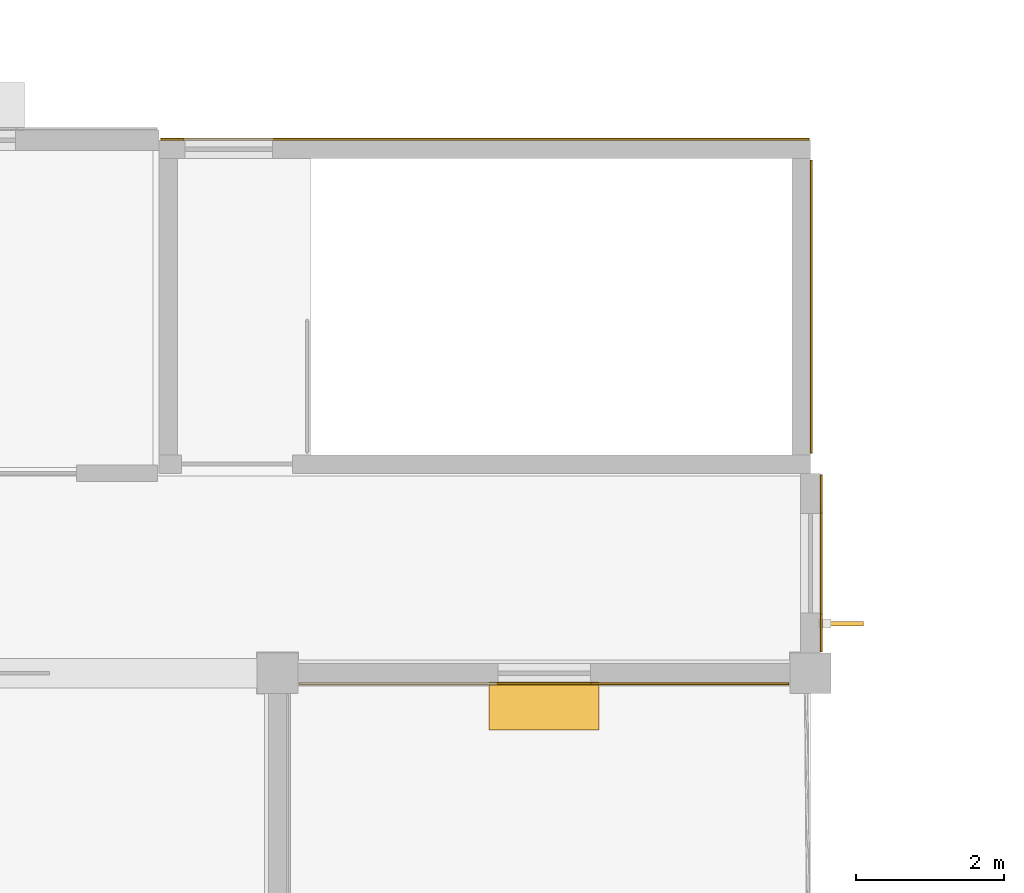
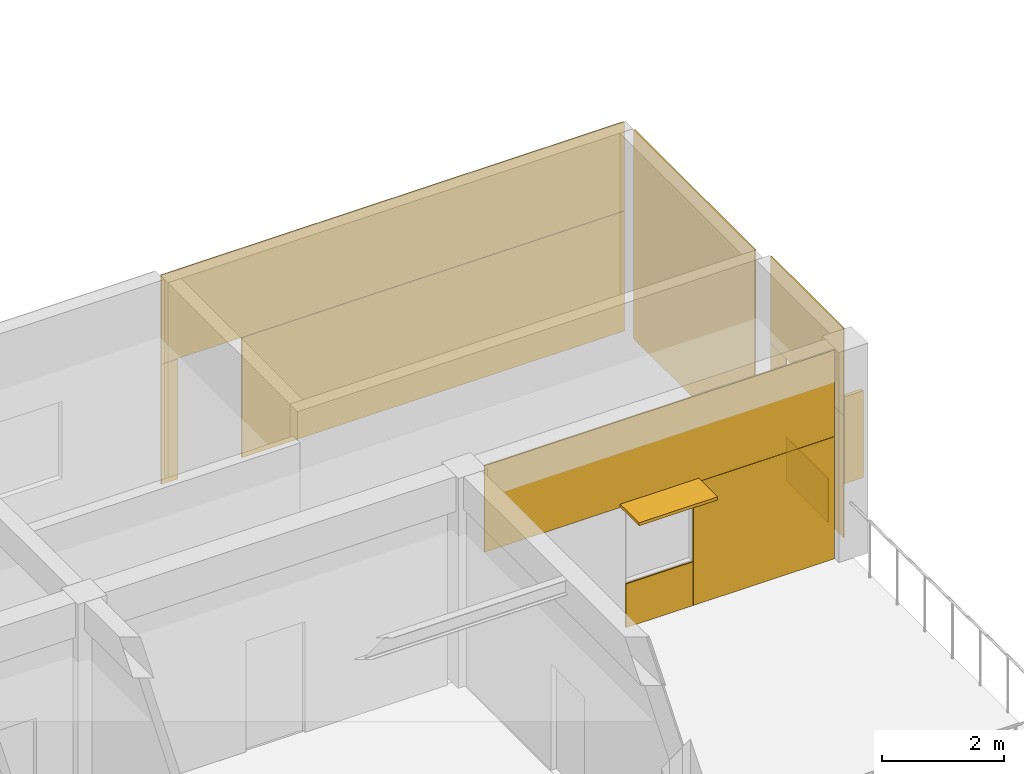
# One storey, part 23 of 29: 11 coverings, 2 shading devices.
"""IFC4 building model written with IfcOpenShell, lengths in metres."""

from ifc_helpers import new_model, si_unit, direction, frame, origin, origin_2d, place, context, subcontext, project, spatial, rectangle, extrude, material, layer, layer_set, type_object, element, save


model = new_model("IFC4")

# Units and contexts
model_context = context("Model", 3, precision=1e-05, world=origin(), true_north=direction((0.0, 1.0)))
body_context = subcontext(model_context, "Body", "Model", "MODEL_VIEW")
ifc_project = project(units=[si_unit("LENGTHUNIT", "METRE"), si_unit("AREAUNIT", "SQUARE_METRE"), si_unit("VOLUMEUNIT", "CUBIC_METRE"), si_unit("PLANEANGLEUNIT", "RADIAN"), si_unit("MASSUNIT", "GRAM", prefix="KILO")], contexts=[model_context])

# Site, building, storey
site_placement = place(None, origin())
site = spatial("IfcSite", under=ifc_project, at=site_placement, CompositionType="ELEMENT")
building_placement = place(site_placement, origin())
building = spatial("IfcBuilding", under=site, at=building_placement, Name="Namkhue Oval Health Centre", CompositionType="ELEMENT")
storey_placement = place(building_placement, frame((0.0, 0.0, 18.0)))
storey = spatial("IfcBuildingStorey", under=building, at=storey_placement, Name="L04", CompositionType="ELEMENT", Elevation=18.0)

# Shading devices
ifc_material_1 = material(Name="Anodised aluminium EN AW-6063 T6", Category="aluminium")
ifc_layer_1 = layer(ifc_material_1, 0.050048828125)
ifc_layer_set_1 = layer_set([ifc_layer_1], Name="Anodised aluminium EN AW-6063 T6")
shading_device_type_1 = type_object("IfcShadingDeviceType", Name="STORM SHUTTER LOUVRE 650", PredefinedType="SHUTTER", material=ifc_layer_set_1)
shading_device_1_placement = place(storey_placement, frame((118.800048828125, 21.155029296875, 2.4599609375), z_axis=(0.0, 0.0, 1.0), x_axis=(1.0, 0.0, 0.0)))
element("IfcShadingDevice", 1, at=shading_device_1_placement, inside=storey, type_object=shading_device_type_1, Name="Volume V5 L04 Window Monsoon Louvre 289", PredefinedType="SHUTTER", context=body_context, shape_type="SweptSolid", body=[
    extrude(rectangle(XDim=1.489990234375, YDim=0.64990234375, at=origin_2d()), origin(), (0.0, 0.0, 1.0), 0.06005859375),
])
shading_device_type_2 = type_object("IfcShadingDeviceType", Name="VERTICAL SOLAR FIN 600", PredefinedType="USERDEFINED", material=ifc_material_1)
shading_device_2_placement = place(storey_placement, frame((122.81494140625, 22.26953125, 0.7998046875), z_axis=(0.0, 0.0, 1.0), x_axis=(1.0, 0.0, 0.0)))
element("IfcShadingDevice", 2, at=shading_device_2_placement, inside=storey, type_object=shading_device_type_2, Name="Volume V5 L04 Window Solar Fin 290", ObjectType="SOLAR FIN", PredefinedType="USERDEFINED", context=body_context, shape_type="SweptSolid", body=[
    extrude(rectangle(XDim=0.60009765625, YDim=0.06005859375, at=origin_2d()), origin(), (0.0, 0.0, 1.0), 1.739990234375),
])

# Coverings
ifc_material_2 = material(Name="White glass-fibre reinforced concrete GRC rainscreen cladding", Category="concrete")
ifc_layer_2 = layer(ifc_material_2, 0.02490234375)
ifc_layer_set_2 = layer_set([ifc_layer_2], Name="White glass-fibre reinforced concrete GRC rainscreen cladding")
covering_type = type_object("IfcCoveringType", Name="WHITE GRC RAINSCREEN CLADDING 25", PredefinedType="CLADDING", material=ifc_layer_set_2)
covering_1_placement = place(storey_placement, frame((118.800048828125, 21.4580078125, 2.455078125), z_axis=(0.0, 0.0, 1.0), x_axis=(1.0, 0.0, 0.0)))
element("IfcCovering", 3, at=covering_1_placement, inside=storey, type_object=covering_type, Name="Volume V5 L04 Facade 153 White GRC Cladding 1", PredefinedType="CLADDING", context=body_context, shape_type="SweptSolid", body=[
    extrude(rectangle(XDim=6.617919921875, YDim=0.02490234375, at=origin_2d()), origin(), (0.0, 0.0, 1.0), 1.735107421875),
])
covering_2_placement = place(storey_placement, frame((118.800048828125, 21.4580078125, 0.010009765625), z_axis=(0.0, 0.0, 1.0), x_axis=(1.0, 0.0, 0.0)))
element("IfcCovering", 4, at=covering_2_placement, inside=storey, type_object=covering_type, Name="Volume V5 L04 Facade 153 White GRC Cladding 3", PredefinedType="CLADDING", context=body_context, shape_type="SweptSolid", body=[
    extrude(rectangle(XDim=1.27001953125, YDim=0.02490234375, at=origin_2d()), origin(), (0.0, 0.0, 1.0), 0.875),
])
covering_3_placement = place(storey_placement, frame((120.7744140625, 21.4580078125, 0.010009765625), z_axis=(0.0, 0.0, 1.0), x_axis=(1.0, 0.0, 0.0)))
element("IfcCovering", 5, at=covering_3_placement, inside=storey, type_object=covering_type, Name="Volume V5 L04 Facade 153 White GRC Cladding 4", PredefinedType="CLADDING", context=body_context, shape_type="SweptSolid", body=[
    extrude(rectangle(XDim=2.6689453125, YDim=0.02490234375, at=origin_2d()), origin(), (0.0, 0.0, 1.0), 2.43994140625),
])
covering_4_placement = place(storey_placement, frame((122.547119140625, 23.08447265625, 2.455078125), z_axis=(0.0, 0.0, 1.0), x_axis=(0.0, 1.0, 0.0)))
element("IfcCovering", 6, at=covering_4_placement, inside=storey, type_object=covering_type, Name="Volume V5 L04 Facade 154 White GRC Cladding 1", PredefinedType="CLADDING", context=body_context, shape_type="SweptSolid", body=[
    extrude(rectangle(XDim=2.386962890625, YDim=0.02490234375, at=origin_2d()), origin(), (0.0, 0.0, 1.0), 1.735107421875),
])
covering_5_placement = place(storey_placement, frame((122.547119140625, 22.142578125, 0.010009765625), z_axis=(0.0, 0.0, 1.0), x_axis=(0.0, 1.0, 0.0)))
element("IfcCovering", 7, at=covering_5_placement, inside=storey, type_object=covering_type, Name="Volume V5 L04 Facade 154 White GRC Cladding 2", PredefinedType="CLADDING", context=body_context, shape_type="SweptSolid", body=[
    extrude(rectangle(XDim=0.50341796875, YDim=0.02490234375, at=origin_2d()), origin(), (0.0, 0.0, 1.0), 2.43994140625),
])
covering_6_placement = place(storey_placement, frame((122.547119140625, 23.08447265625, 0.010009765625), z_axis=(0.0, 0.0, 1.0), x_axis=(0.0, 1.0, 0.0)))
element("IfcCovering", 8, at=covering_6_placement, inside=storey, type_object=covering_type, Name="Volume V5 L04 Facade 154 White GRC Cladding 3", PredefinedType="CLADDING", context=body_context, shape_type="SweptSolid", body=[
    extrude(rectangle(XDim=1.3701171875, YDim=0.02490234375, at=origin_2d()), origin(), (0.0, 0.0, 1.0), 0.875),
])
covering_7_placement = place(storey_placement, frame((122.547119140625, 24.026123046875, 0.010009765625), z_axis=(0.0, 0.0, 1.0), x_axis=(0.0, 1.0, 0.0)))
element("IfcCovering", 9, at=covering_7_placement, inside=storey, type_object=covering_type, Name="Volume V5 L04 Facade 154 White GRC Cladding 4", PredefinedType="CLADDING", context=body_context, shape_type="SweptSolid", body=[
    extrude(rectangle(XDim=0.50341796875, YDim=0.02490234375, at=origin_2d()), origin(), (0.0, 0.0, 1.0), 2.43994140625),
])
covering_8_placement = place(storey_placement, frame((122.412109375, 26.550048828125, 0.01025390625), z_axis=(0.0, 0.0, 1.0), x_axis=(0.0, 1.0, 0.0)))
element("IfcCovering", 10, at=covering_8_placement, inside=storey, type_object=covering_type, Name="Core SC-10 L04 Core E White GRC Cladding 1", PredefinedType="CLADDING", context=body_context, shape_type="SweptSolid", body=[
    extrude(rectangle(XDim=3.9599609375, YDim=0.02490234375, at=origin_2d()), origin(), (0.0, 0.0, 1.0), 4.179931640625),
])
covering_9_placement = place(storey_placement, frame((118.0, 28.81201171875, 2.4150390625), z_axis=(0.0, 0.0, 1.0), x_axis=(-1.0, 0.0, 0.0)))
element("IfcCovering", 11, at=covering_9_placement, inside=storey, type_object=covering_type, Name="Core SC-10 L04 Core N White GRC Cladding 1", PredefinedType="CLADDING", context=body_context, shape_type="SweptSolid", body=[
    extrude(rectangle(XDim=8.760009765625, YDim=0.02490234375, at=origin_2d()), origin(), (0.0, 0.0, 1.0), 1.77490234375),
])
covering_10_placement = place(storey_placement, frame((118.762451171875, 28.81201171875, 0.010009765625), z_axis=(0.0, 0.0, 1.0), x_axis=(-1.0, 0.0, 0.0)))
element("IfcCovering", 12, at=covering_10_placement, inside=storey, type_object=covering_type, Name="Core SC-10 L04 Core N White GRC Cladding 2", PredefinedType="CLADDING", context=body_context, shape_type="SweptSolid", body=[
    extrude(rectangle(XDim=7.235107421875, YDim=0.02490234375, at=origin_2d()), origin(), (0.0, 0.0, 1.0), 2.39990234375),
])
covering_11_placement = place(storey_placement, frame((113.777587890625, 28.81201171875, 0.010009765625), z_axis=(0.0, 0.0, 1.0), x_axis=(-1.0, 0.0, 0.0)))
element("IfcCovering", 13, at=covering_11_placement, inside=storey, type_object=covering_type, Name="Core SC-10 L04 Core N White GRC Cladding 4", PredefinedType="CLADDING", context=body_context, shape_type="SweptSolid", body=[
    extrude(rectangle(XDim=0.31494140625, YDim=0.02490234375, at=origin_2d()), origin(), (0.0, 0.0, 1.0), 2.39990234375),
])

save(model, "model.ifc")
